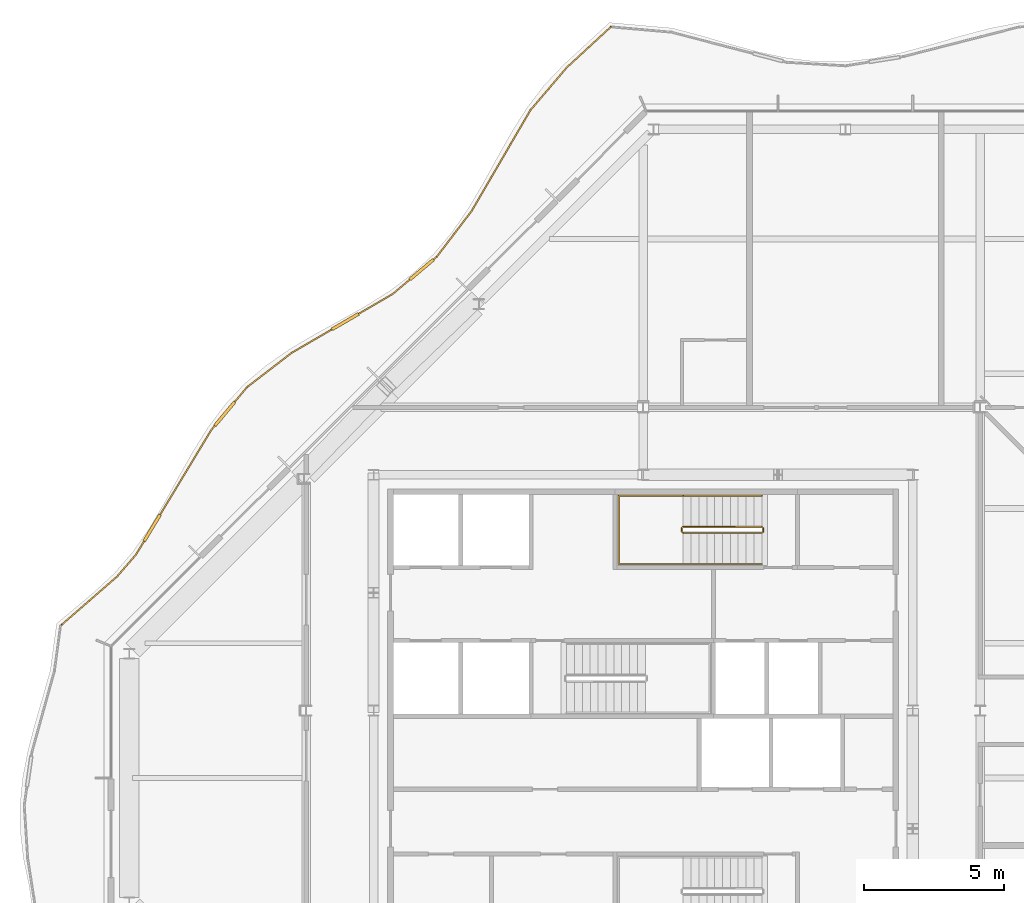
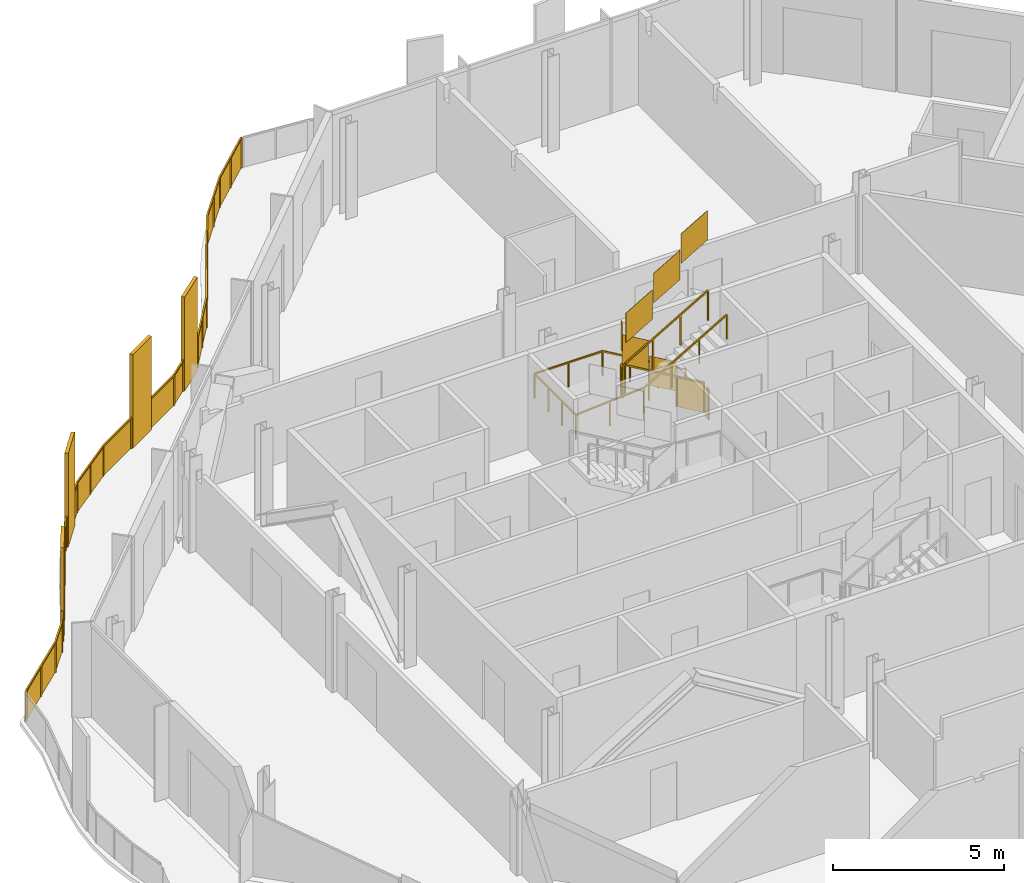
# One storey, part 16 of 17: 4 railings.
"""IFC4 building model written with IfcOpenShell, lengths in metres."""

from ifc_helpers import new_model, si_unit, direction, frame, origin, origin_2d, place, context, subcontext, project, spatial, polyline, rectangle, outline, extrude, material, type_object, element, save


model = new_model("IFC4")

# Units and contexts
model_context = context("Model", 3, precision=1e-05, world=origin(), true_north=direction((0.0, 1.0)))
body_context = subcontext(model_context, "Body", "Model", "MODEL_VIEW")
ifc_project = project(units=[si_unit("LENGTHUNIT", "METRE"), si_unit("AREAUNIT", "SQUARE_METRE"), si_unit("VOLUMEUNIT", "CUBIC_METRE"), si_unit("PLANEANGLEUNIT", "RADIAN"), si_unit("MASSUNIT", "GRAM", prefix="KILO")], contexts=[model_context])

# Site, building, storey
site_placement = place(None, origin())
site = spatial("IfcSite", under=ifc_project, at=site_placement, CompositionType="ELEMENT")
building_placement = place(site_placement, origin())
building = spatial("IfcBuilding", under=site, at=building_placement, Name="Cairn Pilgrim Tower", CompositionType="ELEMENT")
storey_placement = place(building_placement, frame((0.0, 0.0, 292.199951171875)))
storey = spatial("IfcBuildingStorey", under=building, at=storey_placement, Name="L75", CompositionType="ELEMENT", Elevation=292.199951171875)

# Railings
ifc_material_1 = material(Name="Bronze anodised aluminium rail, posts and fin screens with laminated glass infill", Category="aluminium")
railing_type_1 = type_object("IfcRailingType", Name="BALCONY GUARD WITH FIN SCREENS", PredefinedType="GUARDRAIL", material=ifc_material_1)
railing_1_placement = place(storey_placement, frame((6.049560546875, 26.75, 0.0)))
element("IfcRailing", 1, at=railing_1_placement, inside=storey, type_object=railing_type_1, Name="Balcony guard BGF-6 with fin screens", PredefinedType="GUARDRAIL", context=body_context, shape_type="SweptSolid", body=[
    extrude(rectangle(XDim=0.050048828125, YDim=0.050048828125, at=origin_2d()), frame((0.0, 0.0, 1.0751953125), z_axis=(-0.73532918517, -0.677710107227, 0.0), x_axis=(0.677710107227, -0.73532918517, 0.0)), (0.0, 0.0, 1.0), 2.135498046875),
    extrude(rectangle(XDim=0.050048828125, YDim=0.050048828125, at=origin_2d()), frame((-1.5703125, -1.447265625, 1.0751953125), z_axis=(-0.648642394832, -0.761093321233, 0.0), x_axis=(0.761093321233, -0.648642394832, 0.0)), (0.0, 0.0, 1.0), 1.9951171875),
    extrude(rectangle(XDim=0.050048828125, YDim=0.050048828125, at=origin_2d()), frame((-2.864501953125, -2.9658203125, 1.0751953125), z_axis=(-0.503673777582, -0.863893932017, 0.0), x_axis=(0.863893932017, -0.503673777582, 0.0)), (0.0, 0.0, 1.0), 4.156005859375),
    extrude(rectangle(XDim=0.050048828125, YDim=0.050048828125, at=origin_2d()), frame((-4.957763671875, -6.55615234375, 1.0751953125), z_axis=(-0.606064689207, -0.795415358474, 0.0), x_axis=(0.795415358474, -0.606064689207, 0.0)), (0.0, 0.0, 1.0), 2.05517578125),
    extrude(rectangle(XDim=1.10009765625, YDim=0.110107421875, at=origin_2d()), frame((-6.73828125, -8.642333984375, 0.0), z_axis=(0.0, 0.0, 1.0), x_axis=(-0.764249252078, -0.644920987949, 0.0)), (0.0, 0.0, 1.0), 3.35009765625),
    extrude(rectangle(XDim=0.050048828125, YDim=0.050048828125, at=origin_2d()), frame((-6.203369140625, -8.19091796875, 1.0751953125), z_axis=(-0.764249252078, -0.644920987949, 0.0), x_axis=(0.644920987949, -0.764249252078, 0.0)), (0.0, 0.0, 1.0), 0.14990234375),
    extrude(rectangle(XDim=0.050048828125, YDim=0.050048828125, at=origin_2d()), frame((-7.15869140625, -8.9970703125, 1.0751953125), z_axis=(-0.764249252078, -0.644920987949, 0.0), x_axis=(0.644920987949, -0.764249252078, 0.0)), (0.0, 0.0, 1.0), 0.798095703125),
    extrude(rectangle(XDim=1.10009765625, YDim=0.110107421875, at=origin_2d()), frame((-9.456298828125, -10.494873046875, 0.0), z_axis=(0.0, 0.0, 1.0), x_axis=(-0.864099849301, -0.503320425215, 0.0)), (0.0, 0.0, 1.0), 3.35009765625),
    extrude(rectangle(XDim=0.050048828125, YDim=0.050048828125, at=origin_2d()), frame((-7.7685546875, -9.51171875, 1.0751953125), z_axis=(-0.864099849301, -0.503320425215, 0.0), x_axis=(0.503320425215, -0.864099849301, 0.0)), (0.0, 0.0, 1.0), 1.4033203125),
    extrude(rectangle(XDim=0.050048828125, YDim=0.050048828125, at=origin_2d()), frame((-9.931640625, -10.771728515625, 1.0751953125), z_axis=(-0.864099849301, -0.503320425215, 0.0), x_axis=(0.503320425215, -0.864099849301, 0.0)), (0.0, 0.0, 1.0), 1.66064453125),
    extrude(rectangle(XDim=0.050048828125, YDim=0.050048828125, at=origin_2d()), frame((-11.366455078125, -11.607421875, 1.0751953125), z_axis=(-0.792669314188, -0.609651833709, 0.0), x_axis=(0.609651833709, -0.792669314188, 0.0)), (0.0, 0.0, 1.0), 2.002197265625),
    extrude(rectangle(XDim=1.10009765625, YDim=0.110107421875, at=origin_2d()), frame((-13.7490234375, -13.779541015625, 0.0), z_axis=(0.0, 0.0, 1.0), x_axis=(-0.641341375804, -0.767255654708, 0.0)), (0.0, 0.0, 1.0), 3.35009765625),
    extrude(rectangle(XDim=0.050048828125, YDim=0.050048828125, at=origin_2d()), frame((-12.95361328125, -12.828125, 1.0751953125), z_axis=(-0.641341375804, -0.767255654708, 0.0), x_axis=(0.767255654708, -0.641341375804, 0.0)), (0.0, 0.0, 1.0), 0.690185546875),
    extrude(rectangle(XDim=0.050048828125, YDim=0.050048828125, at=origin_2d()), frame((-14.101806640625, -14.20166015625, 1.0751953125), z_axis=(-0.641341375804, -0.767255654708, 0.0), x_axis=(0.767255654708, -0.641341375804, 0.0)), (0.0, 0.0, 1.0), 0.201171875),
    extrude(rectangle(XDim=1.10009765625, YDim=0.110107421875, at=origin_2d()), frame((-16.3369140625, -17.84326171875, 0.0), z_axis=(0.0, 0.0, 1.0), x_axis=(-0.516974658826, -0.85600070218, 0.0)), (0.0, 0.0, 1.0), 3.35009765625),
    extrude(rectangle(XDim=0.050048828125, YDim=0.050048828125, at=origin_2d()), frame((-14.230712890625, -14.35595703125, 1.0751953125), z_axis=(-0.516974658826, -0.85600070218, 0.0), x_axis=(0.85600070218, -0.516974658826, 0.0)), (0.0, 0.0, 1.0), 3.524169921875),
    extrude(rectangle(XDim=0.050048828125, YDim=0.050048828125, at=origin_2d()), frame((-16.621337890625, -18.314208984375, 1.0751953125), z_axis=(-0.516974658826, -0.85600070218, 0.0), x_axis=(0.85600070218, -0.516974658826, 0.0)), (0.0, 0.0, 1.0), 0.556396484375),
    extrude(rectangle(XDim=0.050048828125, YDim=0.050048828125, at=origin_2d()), frame((-16.908935546875, -18.79052734375, 1.0751953125), z_axis=(-0.652621262023, -0.757684293328, 0.0), x_axis=(0.757684293328, -0.652621262023, 0.0)), (0.0, 0.0, 1.0), 1.03173828125),
    extrude(rectangle(XDim=0.050048828125, YDim=0.050048828125, at=origin_2d()), frame((-17.582275390625, -19.572265625, 1.0751953125), z_axis=(-0.754720174095, -0.656046841936, 0.0), x_axis=(0.656046841936, -0.754720174095, 0.0)), (0.0, 0.0, 1.0), 2.61279296875),
    extrude(rectangle(XDim=0.050048828125, YDim=0.050048828125, at=origin_2d()), origin(), (0.0, 0.0, 1.0), 1.050048828125),
    extrude(rectangle(XDim=0.050048828125, YDim=0.050048828125, at=origin_2d()), frame((-0.78515625, -0.7236328125, 0.0)), (0.0, 0.0, 1.0), 1.050048828125),
    extrude(rectangle(XDim=0.050048828125, YDim=0.050048828125, at=origin_2d()), frame((-1.5703125, -1.447265625, 0.0)), (0.0, 0.0, 1.0), 1.050048828125),
    extrude(rectangle(XDim=0.050048828125, YDim=0.050048828125, at=origin_2d()), frame((-2.21728515625, -2.20654296875, 0.0)), (0.0, 0.0, 1.0), 1.050048828125),
    extrude(rectangle(XDim=0.050048828125, YDim=0.050048828125, at=origin_2d()), frame((-2.864501953125, -2.9658203125, 0.0)), (0.0, 0.0, 1.0), 1.050048828125),
    extrude(rectangle(XDim=0.050048828125, YDim=0.050048828125, at=origin_2d()), frame((-3.562255859375, -4.16259765625, 0.0)), (0.0, 0.0, 1.0), 1.050048828125),
    extrude(rectangle(XDim=0.050048828125, YDim=0.050048828125, at=origin_2d()), frame((-4.260009765625, -5.359375, 0.0)), (0.0, 0.0, 1.0), 1.050048828125),
    extrude(rectangle(XDim=0.050048828125, YDim=0.050048828125, at=origin_2d()), frame((-4.957763671875, -6.55615234375, 0.0)), (0.0, 0.0, 1.0), 1.050048828125),
    extrude(rectangle(XDim=0.050048828125, YDim=0.050048828125, at=origin_2d()), frame((-5.58056640625, -7.37353515625, 0.0)), (0.0, 0.0, 1.0), 1.050048828125),
    extrude(rectangle(XDim=0.050048828125, YDim=0.050048828125, at=origin_2d()), frame((-6.203369140625, -8.19091796875, 0.0)), (0.0, 0.0, 1.0), 1.050048828125),
    extrude(rectangle(XDim=0.050048828125, YDim=0.050048828125, at=origin_2d()), frame((-6.298828125, -8.271484375, 0.0)), (0.0, 0.0, 1.0), 1.050048828125),
    extrude(rectangle(XDim=0.050048828125, YDim=0.050048828125, at=origin_2d()), frame((-7.177734375, -9.01318359375, 0.0)), (0.0, 0.0, 1.0), 1.050048828125),
    extrude(rectangle(XDim=0.050048828125, YDim=0.050048828125, at=origin_2d()), frame((-7.7685546875, -9.51171875, 0.0)), (0.0, 0.0, 1.0), 1.050048828125),
    extrude(rectangle(XDim=0.050048828125, YDim=0.050048828125, at=origin_2d()), frame((-8.95947265625, -10.205322265625, 0.0)), (0.0, 0.0, 1.0), 1.050048828125),
    extrude(rectangle(XDim=0.050048828125, YDim=0.050048828125, at=origin_2d()), frame((-9.953125, -10.7841796875, 0.0)), (0.0, 0.0, 1.0), 1.050048828125),
    extrude(rectangle(XDim=0.050048828125, YDim=0.050048828125, at=origin_2d()), frame((-11.366455078125, -11.607421875, 0.0)), (0.0, 0.0, 1.0), 1.050048828125),
    extrude(rectangle(XDim=0.050048828125, YDim=0.050048828125, at=origin_2d()), frame((-12.16015625, -12.2177734375, 0.0)), (0.0, 0.0, 1.0), 1.050048828125),
    extrude(rectangle(XDim=0.050048828125, YDim=0.050048828125, at=origin_2d()), frame((-12.95361328125, -12.828125, 0.0)), (0.0, 0.0, 1.0), 1.050048828125),
    extrude(rectangle(XDim=0.050048828125, YDim=0.050048828125, at=origin_2d()), frame((-13.380126953125, -13.33837890625, 0.0)), (0.0, 0.0, 1.0), 1.050048828125),
    extrude(rectangle(XDim=0.050048828125, YDim=0.050048828125, at=origin_2d()), frame((-14.11767578125, -14.220947265625, 0.0)), (0.0, 0.0, 1.0), 1.050048828125),
    extrude(rectangle(XDim=0.050048828125, YDim=0.050048828125, at=origin_2d()), frame((-14.230712890625, -14.35595703125, 0.0)), (0.0, 0.0, 1.0), 1.050048828125),
    extrude(rectangle(XDim=0.050048828125, YDim=0.050048828125, at=origin_2d()), frame((-15.13525390625, -15.853515625, 0.0)), (0.0, 0.0, 1.0), 1.050048828125),
    extrude(rectangle(XDim=0.050048828125, YDim=0.050048828125, at=origin_2d()), frame((-16.03955078125, -17.35107421875, 0.0)), (0.0, 0.0, 1.0), 1.050048828125),
    extrude(rectangle(XDim=0.050048828125, YDim=0.050048828125, at=origin_2d()), frame((-16.63427734375, -18.335693359375, 0.0)), (0.0, 0.0, 1.0), 1.050048828125),
    extrude(rectangle(XDim=0.050048828125, YDim=0.050048828125, at=origin_2d()), frame((-16.908935546875, -18.79052734375, 0.0)), (0.0, 0.0, 1.0), 1.050048828125),
    extrude(rectangle(XDim=0.050048828125, YDim=0.050048828125, at=origin_2d()), frame((-17.582275390625, -19.572265625, 0.0)), (0.0, 0.0, 1.0), 1.050048828125),
    extrude(rectangle(XDim=0.050048828125, YDim=0.050048828125, at=origin_2d()), frame((-18.568359375, -20.42919921875, 0.0)), (0.0, 0.0, 1.0), 1.050048828125),
    extrude(rectangle(XDim=0.050048828125, YDim=0.050048828125, at=origin_2d()), frame((-19.55419921875, -21.286376953125, 0.0)), (0.0, 0.0, 1.0), 1.050048828125),
    extrude(outline(polyline([(0.02490234375, 0.0), (1.042724609375, 0.0), (1.042724609375, 1.050048828125), (0.02490234375, 1.050048828125), (0.02490234375, 0.0)])), frame((0.004150390625, -0.00439453125, 0.0), z_axis=(-0.677710107227, 0.73532918517, 0.0), x_axis=(-0.73532918517, -0.677710107227, 0.0)), (0.0, 0.0, 1.0), 0.011962890625),
    extrude(outline(polyline([(0.02490234375, 0.0), (1.042724609375, 0.0), (1.042724609375, 1.050048828125), (0.02490234375, 1.050048828125), (0.02490234375, 0.0)])), frame((-0.781005859375, -0.72802734375, 0.0), z_axis=(-0.677710107227, 0.73532918517, 0.0), x_axis=(-0.73532918517, -0.677710107227, 0.0)), (0.0, 0.0, 1.0), 0.011962890625),
    extrude(outline(polyline([(0.02490234375, 0.0), (0.97265625, 0.0), (0.97265625, 1.050048828125), (0.02490234375, 1.050048828125), (0.02490234375, 0.0)])), frame((-1.565673828125, -1.451171875, 0.0), z_axis=(-0.761093321233, 0.648642394832, 0.0), x_axis=(-0.648642394832, -0.761093321233, 0.0)), (0.0, 0.0, 1.0), 0.011962890625),
    extrude(outline(polyline([(0.02490234375, 0.0), (0.97265625, 0.0), (0.97265625, 1.050048828125), (0.02490234375, 1.050048828125), (0.02490234375, 0.0)])), frame((-2.212890625, -2.21044921875, 0.0), z_axis=(-0.761093321233, 0.648642394832, 0.0), x_axis=(-0.648642394832, -0.761093321233, 0.0)), (0.0, 0.0, 1.0), 0.011962890625),
    extrude(outline(polyline([(0.02490234375, 0.0), (1.3603515625, 0.0), (1.3603515625, 1.050048828125), (0.02490234375, 1.050048828125), (0.02490234375, 0.0)])), frame((-2.859375, -2.96875, 0.0), z_axis=(-0.863893932017, 0.503673777582, 0.0), x_axis=(-0.503673777582, -0.863893932017, 0.0)), (0.0, 0.0, 1.0), 0.011962890625),
    extrude(outline(polyline([(0.02490234375, 0.0), (1.3603515625, 0.0), (1.3603515625, 1.050048828125), (0.02490234375, 1.050048828125), (0.02490234375, 0.0)])), frame((-3.55712890625, -4.16552734375, 0.0), z_axis=(-0.863893932017, 0.503673777582, 0.0), x_axis=(-0.503673777582, -0.863893932017, 0.0)), (0.0, 0.0, 1.0), 0.011962890625),
    extrude(outline(polyline([(0.02490234375, 0.0), (1.3603515625, 0.0), (1.3603515625, 1.050048828125), (0.02490234375, 1.050048828125), (0.02490234375, 0.0)])), frame((-4.2548828125, -5.3623046875, 0.0), z_axis=(-0.863893932017, 0.503673777582, 0.0), x_axis=(-0.503673777582, -0.863893932017, 0.0)), (0.0, 0.0, 1.0), 0.011962890625),
    extrude(outline(polyline([(0.02490234375, 0.0), (1.002685546875, 0.0), (1.002685546875, 1.050048828125), (0.02490234375, 1.050048828125), (0.02490234375, 0.0)])), frame((-4.953125, -6.559814453125, 0.0), z_axis=(-0.795415358474, 0.606064689207, 0.0), x_axis=(-0.606064689207, -0.795415358474, 0.0)), (0.0, 0.0, 1.0), 0.011962890625),
    extrude(outline(polyline([(0.02490234375, 0.0), (1.002685546875, 0.0), (1.002685546875, 1.050048828125), (0.02490234375, 1.050048828125), (0.02490234375, 0.0)])), frame((-5.575927734375, -7.377197265625, 0.0), z_axis=(-0.795415358474, 0.606064689207, 0.0), x_axis=(-0.606064689207, -0.795415358474, 0.0)), (0.0, 0.0, 1.0), 0.011962890625),
    extrude(outline(polyline([(0.02490234375, 0.0), (0.099853515625, 0.0), (0.099853515625, 1.050048828125), (0.02490234375, 1.050048828125), (0.02490234375, 0.0)])), frame((-6.199462890625, -8.195556640625, 0.0), z_axis=(-0.644920987949, 0.764249252078, 0.0), x_axis=(-0.764249252078, -0.644920987949, 0.0)), (0.0, 0.0, 1.0), 0.011962890625),
    extrude(outline(polyline([(0.02490234375, 0.0), (0.748046875, 0.0), (0.748046875, 1.050048828125), (0.02490234375, 1.050048828125), (0.02490234375, 0.0)])), frame((-7.173828125, -9.017822265625, 0.0), z_axis=(-0.644920987949, 0.764249252078, 0.0), x_axis=(-0.764249252078, -0.644920987949, 0.0)), (0.0, 0.0, 1.0), 0.011962890625),
    extrude(outline(polyline([(0.02490234375, 0.0), (1.353271484375, 0.0), (1.353271484375, 1.050048828125), (0.02490234375, 1.050048828125), (0.02490234375, 0.0)])), frame((-7.765625, -9.516845703125, 0.0), z_axis=(-0.503320425215, 0.864099849301, 0.0), x_axis=(-0.864099849301, -0.503320425215, 0.0)), (0.0, 0.0, 1.0), 0.011962890625),
    extrude(outline(polyline([(0.02490234375, 0.0), (1.610595703125, 0.0), (1.610595703125, 1.050048828125), (0.02490234375, 1.050048828125), (0.02490234375, 0.0)])), frame((-9.9501953125, -10.789306640625, 0.0), z_axis=(-0.503320425215, 0.864099849301, 0.0), x_axis=(-0.864099849301, -0.503320425215, 0.0)), (0.0, 0.0, 1.0), 0.011962890625),
    extrude(outline(polyline([(0.02490234375, 0.0), (0.97607421875, 0.0), (0.97607421875, 1.050048828125), (0.02490234375, 1.050048828125), (0.02490234375, 0.0)])), frame((-11.36279296875, -11.612060546875, 0.0), z_axis=(-0.609651833709, 0.792669314188, 0.0), x_axis=(-0.792669314188, -0.609651833709, 0.0)), (0.0, 0.0, 1.0), 0.011962890625),
    extrude(outline(polyline([(0.02490234375, 0.0), (0.97607421875, 0.0), (0.97607421875, 1.050048828125), (0.02490234375, 1.050048828125), (0.02490234375, 0.0)])), frame((-12.156494140625, -12.222412109375, 0.0), z_axis=(-0.609651833709, 0.792669314188, 0.0), x_axis=(-0.792669314188, -0.609651833709, 0.0)), (0.0, 0.0, 1.0), 0.011962890625),
    extrude(outline(polyline([(0.02490234375, 0.0), (0.64013671875, 0.0), (0.64013671875, 1.050048828125), (0.02490234375, 1.050048828125), (0.02490234375, 0.0)])), frame((-12.948974609375, -12.83203125, 0.0), z_axis=(-0.767255654708, 0.641341375804, 0.0), x_axis=(-0.641341375804, -0.767255654708, 0.0)), (0.0, 0.0, 1.0), 0.011962890625),
    extrude(outline(polyline([(0.02490234375, 0.0), (0.151123046875, 0.0), (0.151123046875, 1.050048828125), (0.02490234375, 1.050048828125), (0.02490234375, 0.0)])), frame((-14.11328125, -14.224609375, 0.0), z_axis=(-0.767255654708, 0.641341375804, 0.0), x_axis=(-0.641341375804, -0.767255654708, 0.0)), (0.0, 0.0, 1.0), 0.011962890625),
    extrude(outline(polyline([(0.02490234375, 0.0), (1.724609375, 0.0), (1.724609375, 1.050048828125), (0.02490234375, 1.050048828125), (0.02490234375, 0.0)])), frame((-14.2255859375, -14.359130859375, 0.0), z_axis=(-0.85600070218, 0.516974658826, 0.0), x_axis=(-0.516974658826, -0.85600070218, 0.0)), (0.0, 0.0, 1.0), 0.011962890625),
    extrude(outline(polyline([(0.02490234375, 0.0), (1.724609375, 0.0), (1.724609375, 1.050048828125), (0.02490234375, 1.050048828125), (0.02490234375, 0.0)])), frame((-15.130126953125, -15.856689453125, 0.0), z_axis=(-0.85600070218, 0.516974658826, 0.0), x_axis=(-0.516974658826, -0.85600070218, 0.0)), (0.0, 0.0, 1.0), 0.011962890625),
    extrude(outline(polyline([(0.02490234375, 0.0), (0.50634765625, 0.0), (0.50634765625, 1.050048828125), (0.02490234375, 1.050048828125), (0.02490234375, 0.0)])), frame((-16.629150390625, -18.338623046875, 0.0), z_axis=(-0.85600070218, 0.516974658826, 0.0), x_axis=(-0.516974658826, -0.85600070218, 0.0)), (0.0, 0.0, 1.0), 0.011962890625),
    extrude(outline(polyline([(0.02490234375, 0.0), (1.0068359375, 0.0), (1.0068359375, 1.050048828125), (0.02490234375, 1.050048828125), (0.02490234375, 0.0)])), frame((-16.904296875, -18.79443359375, 0.0), z_axis=(-0.757684293328, 0.652621262023, 0.0), x_axis=(-0.652621262023, -0.757684293328, 0.0)), (0.0, 0.0, 1.0), 0.011962890625),
    extrude(outline(polyline([(0.02490234375, 0.0), (1.28125, 0.0), (1.28125, 1.050048828125), (0.02490234375, 1.050048828125), (0.02490234375, 0.0)])), frame((-17.578369140625, -19.57666015625, 0.0), z_axis=(-0.656046841936, 0.754720174095, 0.0), x_axis=(-0.754720174095, -0.656046841936, 0.0)), (0.0, 0.0, 1.0), 0.011962890625),
    extrude(outline(polyline([(0.02490234375, 0.0), (1.28125, 0.0), (1.28125, 1.050048828125), (0.02490234375, 1.050048828125), (0.02490234375, 0.0)])), frame((-18.564208984375, -20.433837890625, 0.0), z_axis=(-0.656046841936, 0.754720174095, 0.0), x_axis=(-0.754720174095, -0.656046841936, 0.0)), (0.0, 0.0, 1.0), 0.011962890625),
])
ifc_material_2 = material(Name="Painted steel", Category="steel")
railing_type_2 = type_object("IfcRailingType", Name="STAIR GUARD 1100", PredefinedType="GUARDRAIL", material=ifc_material_2)
railing_2_placement = place(storey_placement, frame((11.425048828125, 8.949951171875, 0.16357421875)))
element("IfcRailing", 2, at=railing_2_placement, inside=storey, type_object=railing_type_2, Name="L75 ST-C stair guard 1", PredefinedType="GUARDRAIL", context=body_context, shape_type="SweptSolid", body=[
    extrude(rectangle(XDim=0.048095703125, YDim=0.048095703125, at=origin_2d()), frame((0.0, 0.0, 1.076171875), z_axis=(-0.863360870873, 0.0, 0.504586966384), x_axis=(0.0, -1.0, 0.0)), (0.0, 0.0, 1.0), 3.2431640625),
    extrude(rectangle(XDim=0.048095703125, YDim=0.048095703125, at=origin_2d()), frame((-2.800048828125, 0.0, 2.71240234375), z_axis=(-0.707106781187, -0.707106781187, 0.0), x_axis=(0.707106781187, -0.707106781187, 0.0)), (0.0, 0.0, 1.0), 0.07080078125),
    extrude(rectangle(XDim=0.048095703125, YDim=0.048095703125, at=origin_2d()), frame((-2.85009765625, -0.050048828125, 2.71240234375), z_axis=(0.0, -1.0, 0.0), x_axis=(1.0, 0.0, 0.0)), (0.0, 0.0, 1.0), 0.125),
    extrude(rectangle(XDim=0.048095703125, YDim=0.048095703125, at=origin_2d()), frame((-2.85009765625, -0.175048828125, 2.71240234375), z_axis=(0.280916556609, -0.279546231943, 0.91811752648), x_axis=(0.705375805398, 0.708833529934, 0.0)), (0.0, 0.0, 1.0), 0.17822265625),
    extrude(rectangle(XDim=0.048095703125, YDim=0.048095703125, at=origin_2d()), frame((-2.800048828125, -0.224853515625, 2.8759765625), z_axis=(0.863360870873, 0.0, 0.504586966384), x_axis=(0.0, 1.0, 0.0)), (0.0, 0.0, 1.0), 3.2431640625),
    extrude(rectangle(XDim=0.0419921875, YDim=0.0419921875, at=origin_2d()), origin(), (0.0, 0.0, 1.0), 1.052001953125),
    extrude(rectangle(XDim=0.0419921875, YDim=0.0419921875, at=origin_2d()), frame((-0.933349609375, 0.0, 0.54541015625)), (0.0, 0.0, 1.0), 1.052001953125),
    extrude(rectangle(XDim=0.0419921875, YDim=0.0419921875, at=origin_2d()), frame((-1.86669921875, 0.0, 1.091064453125)), (0.0, 0.0, 1.0), 1.052001953125),
    extrude(rectangle(XDim=0.0419921875, YDim=0.0419921875, at=origin_2d()), frame((-2.800048828125, 0.0, 1.636474609375)), (0.0, 0.0, 1.0), 1.052001953125),
    extrude(rectangle(XDim=0.0419921875, YDim=0.0419921875, at=origin_2d()), frame((-2.85009765625, -0.050048828125, 1.636474609375)), (0.0, 0.0, 1.0), 1.052001953125),
    extrude(rectangle(XDim=0.0419921875, YDim=0.0419921875, at=origin_2d()), frame((-2.85009765625, -0.175048828125, 1.636474609375)), (0.0, 0.0, 1.0), 1.052001953125),
    extrude(rectangle(XDim=0.0419921875, YDim=0.0419921875, at=origin_2d()), frame((-2.800048828125, -0.224853515625, 1.800048828125)), (0.0, 0.0, 1.0), 1.052001953125),
    extrude(rectangle(XDim=0.0419921875, YDim=0.0419921875, at=origin_2d()), frame((-1.86669921875, -0.224853515625, 2.345458984375)), (0.0, 0.0, 1.0), 1.052001953125),
    extrude(rectangle(XDim=0.0419921875, YDim=0.0419921875, at=origin_2d()), frame((-0.933349609375, -0.224853515625, 2.89111328125)), (0.0, 0.0, 1.0), 1.052001953125),
    extrude(rectangle(XDim=0.0419921875, YDim=0.0419921875, at=origin_2d()), frame((0.0, -0.224853515625, 3.4365234375)), (0.0, 0.0, 1.0), 1.052001953125),
    extrude(outline(polyline([(0.02099609375, 0.01220703125), (0.912353515625, 0.533203125), (0.912353515625, 1.585205078125), (0.02099609375, 1.064208984375), (0.02099609375, 0.01220703125)])), frame((0.0, -0.005859375, 0.0), z_axis=(0.0, 1.0, 0.0), x_axis=(-1.0, 0.0, 0.0)), (0.0, 0.0, 1.0), 0.011962890625),
    extrude(outline(polyline([(0.02099609375, 0.557861328125), (0.912353515625, 1.07861328125), (0.912353515625, 2.130615234375), (0.02099609375, 1.60986328125), (0.02099609375, 0.557861328125)])), frame((-0.933349609375, -0.005859375, 0.54541015625), z_axis=(0.0, 1.0, 0.0), x_axis=(-1.0, 0.0, 0.0)), (0.0, 0.0, 1.0), 0.011962890625),
    extrude(outline(polyline([(0.02099609375, 1.103271484375), (0.912353515625, 1.624267578125), (0.912353515625, 2.67626953125), (0.02099609375, 2.1552734375), (0.02099609375, 1.103271484375)])), frame((-1.86669921875, -0.005859375, 1.091064453125), z_axis=(0.0, 1.0, 0.0), x_axis=(-1.0, 0.0, 0.0)), (0.0, 0.0, 1.0), 0.011962890625),
    extrude(outline(polyline([(0.02099609375, 1.636474609375), (0.10400390625, 1.636474609375), (0.10400390625, 2.6884765625), (0.02099609375, 2.6884765625), (0.02099609375, 1.636474609375)])), frame((-2.84423828125, -0.050048828125, 1.636474609375), z_axis=(-1.0, 0.0, 0.0), x_axis=(0.0, -1.0, 0.0)), (0.0, 0.0, 1.0), 0.011962890625),
    extrude(outline(polyline([(0.02099609375, 1.812255859375), (0.912353515625, 2.333251953125), (0.912353515625, 3.38525390625), (0.02099609375, 2.8642578125), (0.02099609375, 1.812255859375)])), frame((-2.800048828125, -0.21875, 1.800048828125), z_axis=(0.0, -1.0, 0.0), x_axis=(1.0, 0.0, 0.0)), (0.0, 0.0, 1.0), 0.011962890625),
    extrude(outline(polyline([(0.02099609375, 2.35791015625), (0.912353515625, 2.878662109375), (0.912353515625, 3.9306640625), (0.02099609375, 3.409912109375), (0.02099609375, 2.35791015625)])), frame((-1.86669921875, -0.21875, 2.345458984375), z_axis=(0.0, -1.0, 0.0), x_axis=(1.0, 0.0, 0.0)), (0.0, 0.0, 1.0), 0.011962890625),
    extrude(outline(polyline([(0.02099609375, 2.9033203125), (0.912353515625, 3.42431640625), (0.912353515625, 4.476318359375), (0.02099609375, 3.955322265625), (0.02099609375, 2.9033203125)])), frame((-0.933349609375, -0.21875, 2.89111328125), z_axis=(0.0, -1.0, 0.0), x_axis=(1.0, 0.0, 0.0)), (0.0, 0.0, 1.0), 0.011962890625),
])
railing_3_placement = place(storey_placement, frame((11.47509765625, 8.89990234375, 0.0)))
element("IfcRailing", 3, at=railing_3_placement, inside=storey, type_object=railing_type_2, Name="L75 ST-C stair guard 2", PredefinedType="GUARDRAIL", context=body_context, shape_type="SweptSolid", body=[
    extrude(rectangle(XDim=0.048095703125, YDim=0.048095703125, at=origin_2d()), frame((0.0, 0.0, 1.076171875), z_axis=(0.0, -1.0, 0.0), x_axis=(1.0, 0.0, 0.0)), (0.0, 0.0, 1.0), 0.125),
    extrude(rectangle(XDim=0.0419921875, YDim=0.0419921875, at=origin_2d()), origin(), (0.0, 0.0, 1.0), 1.052001953125),
    extrude(rectangle(XDim=0.0419921875, YDim=0.0419921875, at=origin_2d()), frame((0.0, -0.125, 0.0)), (0.0, 0.0, 1.0), 1.052001953125),
    extrude(outline(polyline([(0.02099609375, 0.0), (0.10400390625, 0.0), (0.10400390625, 1.052001953125), (0.02099609375, 1.052001953125), (0.02099609375, 0.0)])), frame((0.005859375, 0.0, 0.0), z_axis=(-1.0, 0.0, 0.0), x_axis=(0.0, -1.0, 0.0)), (0.0, 0.0, 1.0), 0.011962890625),
])
railing_type_3 = type_object("IfcRailingType", Name="STAIR HANDRAIL 900", PredefinedType="HANDRAIL", material=ifc_material_2)
railing_4_placement = place(storey_placement, frame((11.425048828125, 10.050048828125, 0.16357421875)))
element("IfcRailing", 4, at=railing_4_placement, inside=storey, type_object=railing_type_3, Name="L75 ST-C stair handrail 1", PredefinedType="HANDRAIL", context=body_context, shape_type="SweptSolid", body=[
    extrude(rectangle(XDim=0.048095703125, YDim=0.048095703125, at=origin_2d()), frame((0.0, 0.0, 0.8759765625), z_axis=(-0.863360870873, 0.0, 0.504586966384), x_axis=(0.0, -1.0, 0.0)), (0.0, 0.0, 1.0), 3.2431640625),
    extrude(rectangle(XDim=0.048095703125, YDim=0.048095703125, at=origin_2d()), frame((-2.800048828125, 0.0, 2.51220703125), z_axis=(-1.0, 0.0, 0.0), x_axis=(0.0, -1.0, 0.0)), (0.0, 0.0, 1.0), 2.300048828125),
    extrude(rectangle(XDim=0.048095703125, YDim=0.048095703125, at=origin_2d()), frame((-5.10009765625, 0.0, 2.51220703125), z_axis=(0.0, -1.0, 0.0), x_axis=(1.0, 0.0, 0.0)), (0.0, 0.0, 1.0), 2.425048828125),
    extrude(rectangle(XDim=0.048095703125, YDim=0.048095703125, at=origin_2d()), frame((-5.10009765625, -2.425048828125, 2.51220703125), z_axis=(0.997480687736, 0.0, 0.070938548008), x_axis=(0.0, 1.0, 0.0)), (0.0, 0.0, 1.0), 2.305908203125),
    extrude(rectangle(XDim=0.048095703125, YDim=0.048095703125, at=origin_2d()), frame((-2.800048828125, -2.425048828125, 2.67578125), z_axis=(0.863360870873, 0.0, 0.504586966384), x_axis=(0.0, 1.0, 0.0)), (0.0, 0.0, 1.0), 3.2431640625),
    extrude(rectangle(XDim=0.0419921875, YDim=0.0419921875, at=origin_2d()), origin(), (0.0, 0.0, 1.0), 0.851806640625),
    extrude(rectangle(XDim=0.0419921875, YDim=0.0419921875, at=origin_2d()), frame((-0.933349609375, 0.0, 0.54541015625)), (0.0, 0.0, 1.0), 0.851806640625),
    extrude(rectangle(XDim=0.0419921875, YDim=0.0419921875, at=origin_2d()), frame((-1.86669921875, 0.0, 1.091064453125)), (0.0, 0.0, 1.0), 0.851806640625),
    extrude(rectangle(XDim=0.0419921875, YDim=0.0419921875, at=origin_2d()), frame((-2.800048828125, 0.0, 1.636474609375)), (0.0, 0.0, 1.0), 0.851806640625),
    extrude(rectangle(XDim=0.0419921875, YDim=0.0419921875, at=origin_2d()), frame((-3.9501953125, 0.0, 1.636474609375)), (0.0, 0.0, 1.0), 0.851806640625),
    extrude(rectangle(XDim=0.0419921875, YDim=0.0419921875, at=origin_2d()), frame((-5.10009765625, 0.0, 1.636474609375)), (0.0, 0.0, 1.0), 0.851806640625),
    extrude(rectangle(XDim=0.0419921875, YDim=0.0419921875, at=origin_2d()), frame((-5.10009765625, -0.808349609375, 1.636474609375)), (0.0, 0.0, 1.0), 0.851806640625),
    extrude(rectangle(XDim=0.0419921875, YDim=0.0419921875, at=origin_2d()), frame((-5.10009765625, -1.61669921875, 1.636474609375)), (0.0, 0.0, 1.0), 0.851806640625),
    extrude(rectangle(XDim=0.0419921875, YDim=0.0419921875, at=origin_2d()), frame((-5.10009765625, -2.425048828125, 1.636474609375)), (0.0, 0.0, 1.0), 0.851806640625),
    extrude(rectangle(XDim=0.0419921875, YDim=0.0419921875, at=origin_2d()), frame((-3.9501953125, -2.425048828125, 1.71826171875)), (0.0, 0.0, 1.0), 0.851806640625),
    extrude(rectangle(XDim=0.0419921875, YDim=0.0419921875, at=origin_2d()), frame((-2.800048828125, -2.425048828125, 1.800048828125)), (0.0, 0.0, 1.0), 0.851806640625),
    extrude(rectangle(XDim=0.0419921875, YDim=0.0419921875, at=origin_2d()), frame((-1.86669921875, -2.425048828125, 2.345458984375)), (0.0, 0.0, 1.0), 0.851806640625),
    extrude(rectangle(XDim=0.0419921875, YDim=0.0419921875, at=origin_2d()), frame((-0.933349609375, -2.425048828125, 2.89111328125)), (0.0, 0.0, 1.0), 0.851806640625),
    extrude(rectangle(XDim=0.0419921875, YDim=0.0419921875, at=origin_2d()), frame((0.0, -2.425048828125, 3.4365234375)), (0.0, 0.0, 1.0), 0.851806640625),
])

save(model, "model.ifc")
